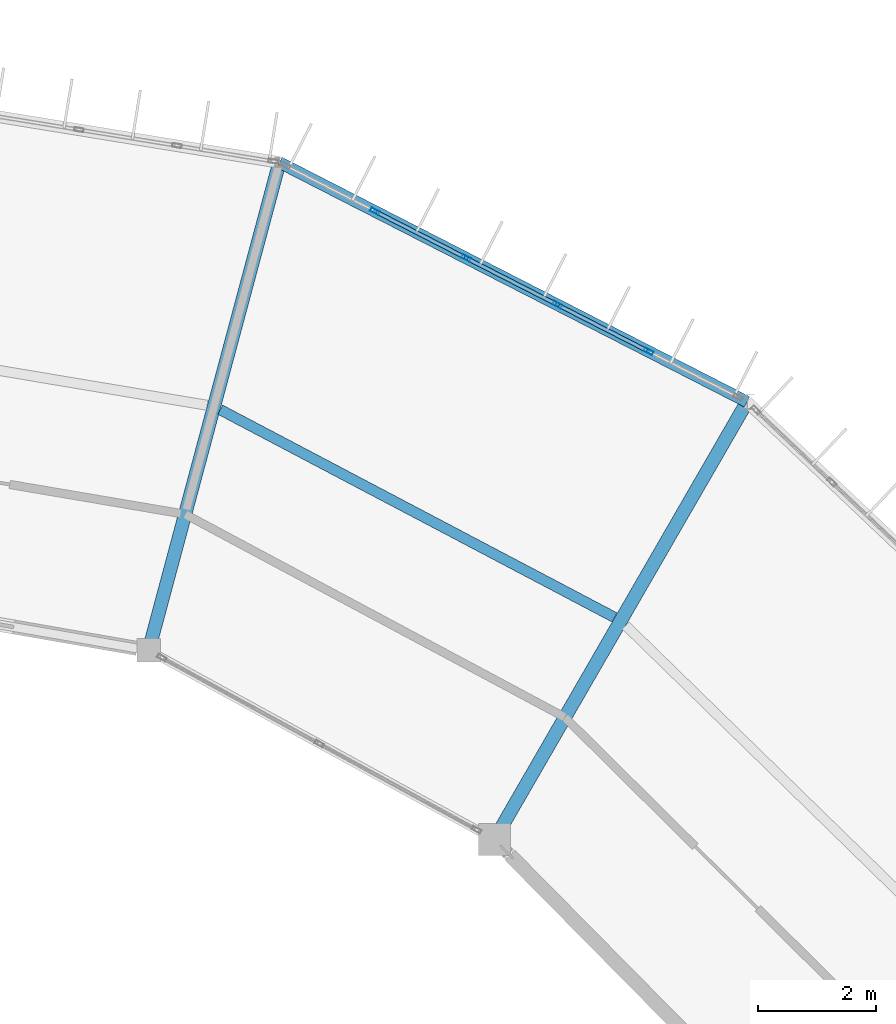
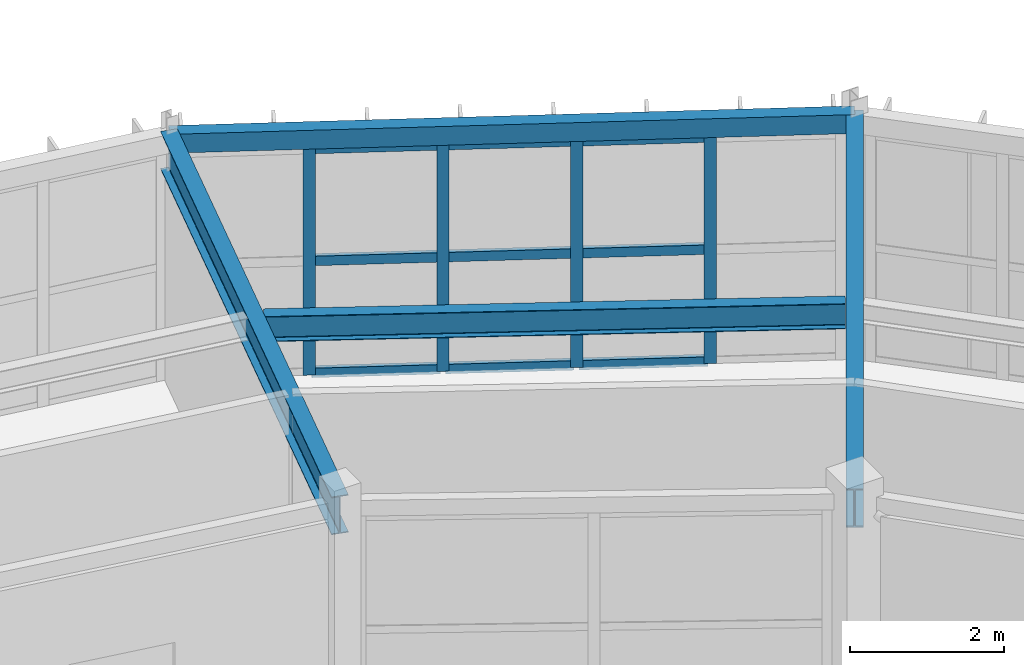
# One storey, part 81 of 134: 13 members, 4 beams, 1 element without a shape of its own.
"""IFC4 building model written with IfcOpenShell, lengths in metres."""

from ifc_helpers import new_model, si_unit, direction, frame, origin, origin_2d, place, context, subcontext, project, spatial, hollow_rectangle, i_section, extrude, material, material_profile, profile_set, type_object, element, aggregate, save


model = new_model("IFC4")

# Units and contexts
model_context = context("Model", 3, precision=1e-05, world=origin(), true_north=direction((0.0, 1.0)))
body_context = subcontext(model_context, "Body", "Model", "MODEL_VIEW")
ifc_project = project(units=[si_unit("LENGTHUNIT", "METRE"), si_unit("AREAUNIT", "SQUARE_METRE"), si_unit("VOLUMEUNIT", "CUBIC_METRE"), si_unit("PLANEANGLEUNIT", "RADIAN"), si_unit("MASSUNIT", "GRAM", prefix="KILO")], contexts=[model_context])

# Site, building, storey
site_placement = place(None, origin())
site = spatial("IfcSite", under=ifc_project, at=site_placement, CompositionType="ELEMENT")
building_placement = place(site_placement, origin())
building = spatial("IfcBuilding", under=site, at=building_placement, Name="Karori Crest Natural Sciences Institute", CompositionType="ELEMENT")
storey_placement = place(building_placement, frame((0.0, 0.0, 21.699951171875)))
storey = spatial("IfcBuildingStorey", under=building, at=storey_placement, Name="L05", CompositionType="ELEMENT", Elevation=21.699951171875)

# Beams
ifc_material_1 = material(Name="Structural steel AS/NZS 3679.1 Grade 350", Category="steel")
ifc_material_profile_1 = material_profile(ifc_material_1, i_section(OverallWidth=0.22900390625, OverallDepth=0.612060546875, WebThickness=0.011962890625, FlangeThickness=0.01953125, FilletRadius=0.013916015625, at=origin_2d()), Name="610UB125")
ifc_profile_set_1 = profile_set([ifc_material_profile_1], Name="Structural steel AS/NZS 3679.1 Grade 350")
beam_type_1 = type_object("IfcBeamType", Name="BT-04", PredefinedType="BEAM", material=ifc_profile_set_1)
beam_1_placement = place(storey_placement, frame((78.60009765625, 77.785888671875, 3.634033203125), z_axis=(0.499973925258, 0.86604045752, 0.0), x_axis=(-0.86604045752, 0.499973925258, 0.0)))
element("IfcBeam", 1, at=beam_1_placement, inside=storey, type_object=beam_type_1, Name="Beam B-0557", PredefinedType="BEAM", context=body_context, shape_type="SweptSolid", body=[
    extrude(i_section(OverallWidth=0.22900390625, OverallDepth=0.612060546875, WebThickness=0.011962890625, FlangeThickness=0.01953125, FilletRadius=0.013916015625, at=origin_2d()), origin(), (0.0, 0.0, 1.0), 8.60009765625),
])
ifc_material_2 = material(Name="Hollow structural steel AS/NZS 1163 Grade C350", Category="steel")
ifc_material_profile_2 = material_profile(ifc_material_2, hollow_rectangle(XDim=0.199951171875, YDim=0.300048828125, WallThickness=0.010009765625, at=origin_2d()), Name="RHS300x200x10")
ifc_profile_set_2 = profile_set([ifc_material_profile_2], Name="Hollow structural steel AS/NZS 1163 Grade C350")
beam_type_2 = type_object("IfcBeamType", Name="BT-15", PredefinedType="SPANDREL", material=ifc_profile_set_2)
beam_2_placement = place(storey_placement, frame((82.89990234375, 85.23388671875, 3.7900390625), z_axis=(-0.890071733872, 0.455820478436, 0.0), x_axis=(-0.455820478436, -0.890071733872, 0.0)))
element("IfcBeam", 2, at=beam_2_placement, inside=storey, type_object=beam_type_2, Name="Beam B-0555", PredefinedType="SPANDREL", context=body_context, shape_type="SweptSolid", body=[
    extrude(hollow_rectangle(XDim=0.199951171875, YDim=0.300048828125, WallThickness=0.010009765625, at=origin_2d()), origin(), (0.0, 0.0, 1.0), 8.94189453125),
])
ifc_material_profile_3 = material_profile(ifc_material_1, i_section(OverallWidth=0.22802734375, OverallDepth=0.60205078125, WebThickness=0.010498046875, FlangeThickness=0.014892578125, FilletRadius=0.013916015625, at=origin_2d()), Name="610UB101")
ifc_profile_set_3 = profile_set([ifc_material_profile_3], Name="Structural steel AS/NZS 3679.1 Grade 350")
beam_type_3 = type_object("IfcBeamType", Name="BT-27", PredefinedType="BEAM", material=ifc_profile_set_3)
beam_3_placement = place(storey_placement, frame((72.715087890625, 81.002685546875, 3.63916015625), z_axis=(0.258812709002, 0.96592752402, 0.0), x_axis=(-0.96592752402, 0.258812709002, 0.0)))
element("IfcBeam", 3, at=beam_3_placement, inside=storey, type_object=beam_type_3, Name="Beam B-0561", PredefinedType="BEAM", context=body_context, shape_type="SweptSolid", body=[
    extrude(i_section(OverallWidth=0.22802734375, OverallDepth=0.60205078125, WebThickness=0.010498046875, FlangeThickness=0.014892578125, FilletRadius=0.013916015625, at=origin_2d()), origin(), (0.0, 0.0, 1.0), 8.60009765625),
])
ifc_material_profile_4 = material_profile(ifc_material_1, i_section(OverallWidth=0.177978515625, OverallDepth=0.403076171875, WebThickness=0.007568359375, FlangeThickness=0.010986328125, FilletRadius=0.010986328125, at=origin_2d()), Name="410UB53.7")
ifc_profile_set_4 = profile_set([ifc_material_profile_4], Name="Structural steel AS/NZS 3679.1 Grade 350")
beam_type_4 = type_object("IfcBeamType", Name="BT-29", PredefinedType="BEAM", material=ifc_profile_set_4)
beam_4_placement = place(storey_placement, frame((80.643798828125, 81.56591796875, 3.738525390625), z_axis=(-0.884748465601, 0.466068828197, 0.0), x_axis=(-0.466068828197, -0.884748465601, 0.0)))
element("IfcBeam", 4, at=beam_4_placement, inside=storey, type_object=beam_type_4, Name="Beam B-0558", PredefinedType="BEAM", context=body_context, shape_type="SweptSolid", body=[
    extrude(i_section(OverallWidth=0.177978515625, OverallDepth=0.403076171875, WebThickness=0.007568359375, FlangeThickness=0.010986328125, FilletRadius=0.010986328125, at=origin_2d()), origin(), (0.0, 0.0, 1.0), 7.58349609375),
])

# Curtain wall, members
ifc_material_3 = material(Name="Anodised architectural aluminium 6063-T6", Category="aluminium")
curtain_wall_type = type_object("IfcCurtainWallType", Name="CWT-05", PredefinedType="NOTDEFINED", material=ifc_material_3)
curtain_wall_placement = place(storey_placement, origin())
curtain_wall = element("IfcCurtainWall", 5, at=curtain_wall_placement, inside=storey, type_object=curtain_wall_type, Name="Curtain wall CW-0178", PredefinedType="NOTDEFINED")
ifc_material_profile_5 = material_profile(ifc_material_3, hollow_rectangle(XDim=0.06494140625, YDim=0.159912109375, WallThickness=0.00390625, at=origin_2d()), Name="CWM160x65x4")
ifc_profile_set_5 = profile_set([ifc_material_profile_5], Name="Anodised architectural aluminium 6063-T6")
member_type_1 = type_object("IfcMemberType", Name="CWM-01", PredefinedType="MULLION", material=ifc_profile_set_5)
member_1_placement = place(storey_placement, frame((76.56787109375, 88.4765625, 0.0), z_axis=(0.0, 0.0, 1.0), x_axis=(0.455828878252, 0.890067432138, 0.0)))
member_1 = element("IfcMember", 6, at=member_1_placement, type_object=member_type_1, Name="CW-0178 mullion 2", PredefinedType="MULLION", context=body_context, shape_type="SweptSolid", body=[
    extrude(hollow_rectangle(XDim=0.06494140625, YDim=0.159912109375, WallThickness=0.00390625, at=origin_2d()), origin(), (0.0, 0.0, 1.0), 3.625),
])
member_2_placement = place(storey_placement, frame((78.11962890625, 87.681884765625, 0.0), z_axis=(0.0, 0.0, 1.0), x_axis=(0.455828878252, 0.890067432138, 0.0)))
member_2 = element("IfcMember", 7, at=member_2_placement, type_object=member_type_1, Name="CW-0178 mullion 3", PredefinedType="MULLION", context=body_context, shape_type="SweptSolid", body=[
    extrude(hollow_rectangle(XDim=0.06494140625, YDim=0.159912109375, WallThickness=0.00390625, at=origin_2d()), origin(), (0.0, 0.0, 1.0), 3.625),
])
member_3_placement = place(storey_placement, frame((79.67138671875, 86.88720703125, 0.0), z_axis=(0.0, 0.0, 1.0), x_axis=(0.455828878252, 0.890067432138, 0.0)))
member_3 = element("IfcMember", 8, at=member_3_placement, type_object=member_type_1, Name="CW-0178 mullion 4", PredefinedType="MULLION", context=body_context, shape_type="SweptSolid", body=[
    extrude(hollow_rectangle(XDim=0.06494140625, YDim=0.159912109375, WallThickness=0.00390625, at=origin_2d()), origin(), (0.0, 0.0, 1.0), 3.625),
])
member_4_placement = place(storey_placement, frame((81.22314453125, 86.092529296875, 0.0), z_axis=(0.0, 0.0, 1.0), x_axis=(0.455828878252, 0.890067432138, 0.0)))
member_4 = element("IfcMember", 9, at=member_4_placement, type_object=member_type_1, Name="CW-0178 mullion 5", PredefinedType="MULLION", context=body_context, shape_type="SweptSolid", body=[
    extrude(hollow_rectangle(XDim=0.06494140625, YDim=0.159912109375, WallThickness=0.00390625, at=origin_2d()), origin(), (0.0, 0.0, 1.0), 3.625),
])
ifc_material_profile_6 = material_profile(ifc_material_3, hollow_rectangle(XDim=0.06494140625, YDim=0.14990234375, WallThickness=0.00390625, at=origin_2d()), Name="CWT150x65x4")
ifc_profile_set_6 = profile_set([ifc_material_profile_6], Name="Anodised architectural aluminium 6063-T6")
member_type_2 = type_object("IfcMemberType", Name="CWT-TR2", PredefinedType="USERDEFINED", material=ifc_profile_set_6)
member_5_placement = place(storey_placement, frame((76.596923828125, 88.4619140625, 0.032470703125), z_axis=(0.890050562189, -0.455861817601, 0.0), x_axis=(0.455861817601, 0.890050562189, 0.0)))
member_5 = element("IfcMember", 10, at=member_5_placement, type_object=member_type_2, Name="CW-0178 transom 2.1", ObjectType="TRANSOM", PredefinedType="USERDEFINED", context=body_context, shape_type="SweptSolid", body=[
    extrude(hollow_rectangle(XDim=0.06494140625, YDim=0.14990234375, WallThickness=0.00390625, at=origin_2d()), origin(), (0.0, 0.0, 1.0), 1.678466796875),
])
member_6_placement = place(storey_placement, frame((76.596923828125, 88.4619140625, 1.8125), z_axis=(0.890050562189, -0.455861817601, 0.0), x_axis=(0.455861817601, 0.890050562189, 0.0)))
member_6 = element("IfcMember", 11, at=member_6_placement, type_object=member_type_2, Name="CW-0178 transom 2.2", ObjectType="TRANSOM", PredefinedType="USERDEFINED", context=body_context, shape_type="SweptSolid", body=[
    extrude(hollow_rectangle(XDim=0.06494140625, YDim=0.14990234375, WallThickness=0.00390625, at=origin_2d()), origin(), (0.0, 0.0, 1.0), 1.678466796875),
])
member_7_placement = place(storey_placement, frame((76.596923828125, 88.4619140625, 3.592529296875), z_axis=(0.890050562189, -0.455861817601, 0.0), x_axis=(0.455861817601, 0.890050562189, 0.0)))
member_7 = element("IfcMember", 12, at=member_7_placement, type_object=member_type_2, Name="CW-0178 transom 2.3", ObjectType="TRANSOM", PredefinedType="USERDEFINED", context=body_context, shape_type="SweptSolid", body=[
    extrude(hollow_rectangle(XDim=0.06494140625, YDim=0.14990234375, WallThickness=0.00390625, at=origin_2d()), origin(), (0.0, 0.0, 1.0), 1.678466796875),
])
member_8_placement = place(storey_placement, frame((78.148681640625, 87.667236328125, 0.032470703125), z_axis=(0.890020328927, -0.455920841919, 0.0), x_axis=(0.455920841919, 0.890020328927, 0.0)))
member_8 = element("IfcMember", 13, at=member_8_placement, type_object=member_type_2, Name="CW-0178 transom 3.1", ObjectType="TRANSOM", PredefinedType="USERDEFINED", context=body_context, shape_type="SweptSolid", body=[
    extrude(hollow_rectangle(XDim=0.06494140625, YDim=0.14990234375, WallThickness=0.00390625, at=origin_2d()), origin(), (0.0, 0.0, 1.0), 1.67822265625),
])
member_9_placement = place(storey_placement, frame((78.148681640625, 87.667236328125, 1.8125), z_axis=(0.890020328927, -0.455920841919, 0.0), x_axis=(0.455920841919, 0.890020328927, 0.0)))
member_9 = element("IfcMember", 14, at=member_9_placement, type_object=member_type_2, Name="CW-0178 transom 3.2", ObjectType="TRANSOM", PredefinedType="USERDEFINED", context=body_context, shape_type="SweptSolid", body=[
    extrude(hollow_rectangle(XDim=0.06494140625, YDim=0.14990234375, WallThickness=0.00390625, at=origin_2d()), origin(), (0.0, 0.0, 1.0), 1.67822265625),
])
member_10_placement = place(storey_placement, frame((78.148681640625, 87.667236328125, 3.592529296875), z_axis=(0.890020328927, -0.455920841919, 0.0), x_axis=(0.455920841919, 0.890020328927, 0.0)))
member_10 = element("IfcMember", 15, at=member_10_placement, type_object=member_type_2, Name="CW-0178 transom 3.3", ObjectType="TRANSOM", PredefinedType="USERDEFINED", context=body_context, shape_type="SweptSolid", body=[
    extrude(hollow_rectangle(XDim=0.06494140625, YDim=0.14990234375, WallThickness=0.00390625, at=origin_2d()), origin(), (0.0, 0.0, 1.0), 1.67822265625),
])
member_11_placement = place(storey_placement, frame((79.7001953125, 86.87255859375, 0.032470703125), z_axis=(0.890050562189, -0.455861817601, 0.0), x_axis=(0.455861817601, 0.890050562189, 0.0)))
member_11 = element("IfcMember", 16, at=member_11_placement, type_object=member_type_2, Name="CW-0178 transom 4.1", ObjectType="TRANSOM", PredefinedType="USERDEFINED", context=body_context, shape_type="SweptSolid", body=[
    extrude(hollow_rectangle(XDim=0.06494140625, YDim=0.14990234375, WallThickness=0.00390625, at=origin_2d()), origin(), (0.0, 0.0, 1.0), 1.678466796875),
])
member_12_placement = place(storey_placement, frame((79.7001953125, 86.87255859375, 1.8125), z_axis=(0.890050562189, -0.455861817601, 0.0), x_axis=(0.455861817601, 0.890050562189, 0.0)))
member_12 = element("IfcMember", 17, at=member_12_placement, type_object=member_type_2, Name="CW-0178 transom 4.2", ObjectType="TRANSOM", PredefinedType="USERDEFINED", context=body_context, shape_type="SweptSolid", body=[
    extrude(hollow_rectangle(XDim=0.06494140625, YDim=0.14990234375, WallThickness=0.00390625, at=origin_2d()), origin(), (0.0, 0.0, 1.0), 1.678466796875),
])
member_13_placement = place(storey_placement, frame((79.7001953125, 86.87255859375, 3.592529296875), z_axis=(0.890050562189, -0.455861817601, 0.0), x_axis=(0.455861817601, 0.890050562189, 0.0)))
member_13 = element("IfcMember", 18, at=member_13_placement, type_object=member_type_2, Name="CW-0178 transom 4.3", ObjectType="TRANSOM", PredefinedType="USERDEFINED", context=body_context, shape_type="SweptSolid", body=[
    extrude(hollow_rectangle(XDim=0.06494140625, YDim=0.14990234375, WallThickness=0.00390625, at=origin_2d()), origin(), (0.0, 0.0, 1.0), 1.678466796875),
])
aggregate(curtain_wall, [member_1, member_2, member_3, member_4, member_5, member_6, member_7, member_8, member_9, member_10, member_11, member_12, member_13])

save(model, "model.ifc")
